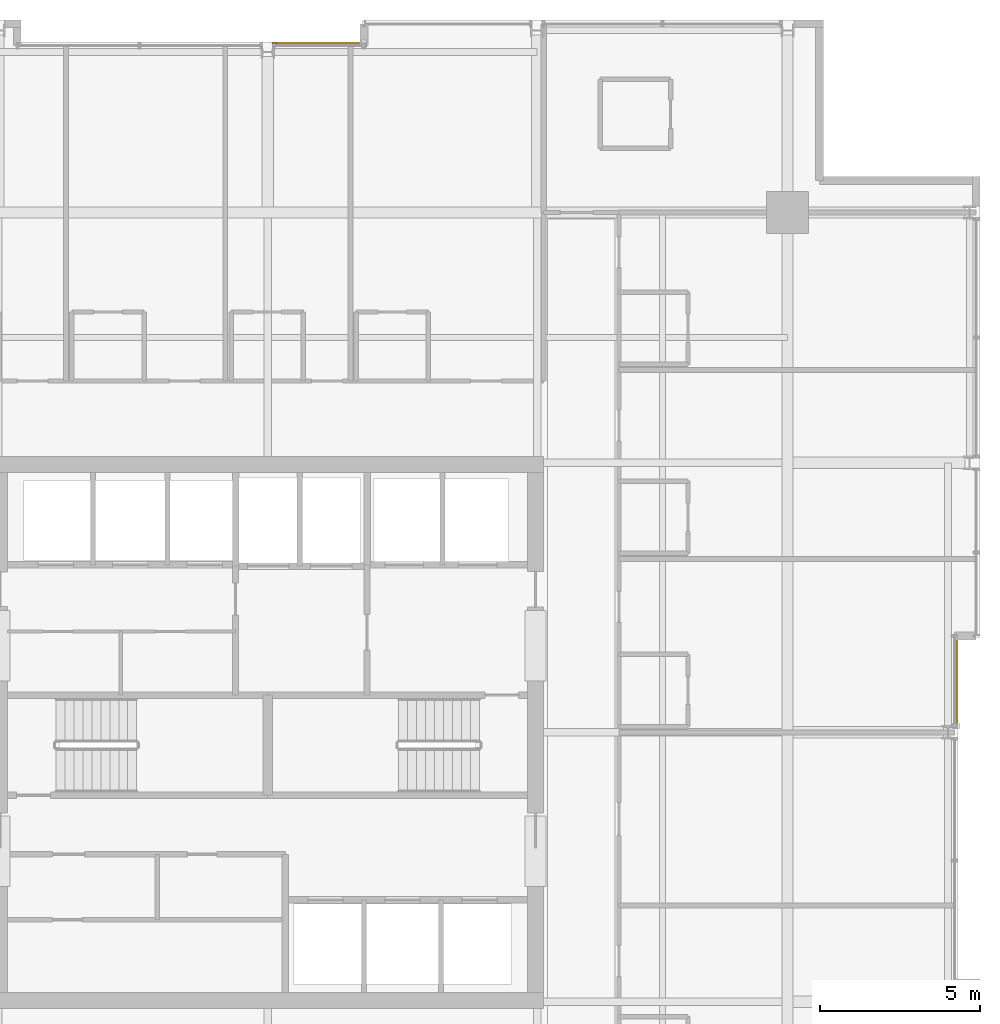
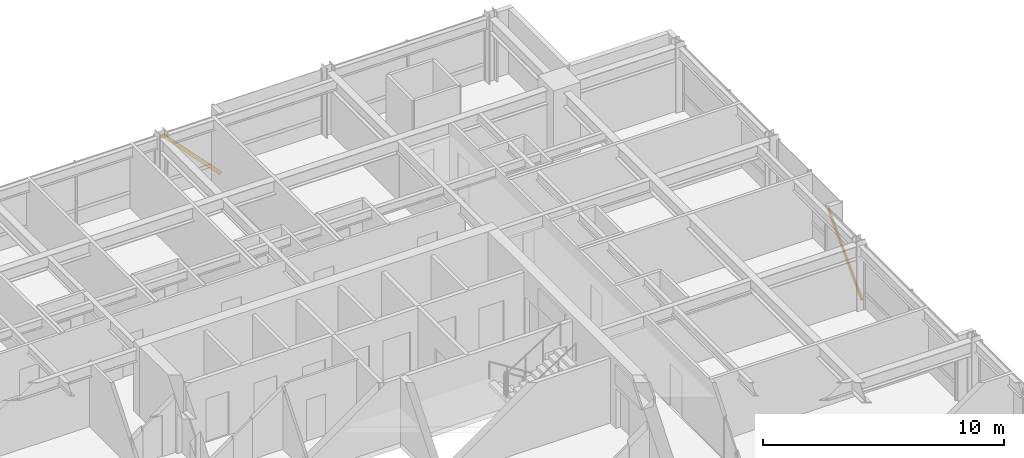
# One storey, part 33 of 33: 2 shading devices.
"""IFC4 building model written with IfcOpenShell, lengths in metres."""

from ifc_helpers import new_model, si_unit, direction, frame, origin, origin_2d, place, context, subcontext, project, spatial, hollow_rectangle, extrude, material, material_profile, profile_set, type_object, element, save


model = new_model("IFC4")

# Units and contexts
model_context = context("Model", 3, precision=1e-05, world=origin(), true_north=direction((0.0, 1.0)))
body_context = subcontext(model_context, "Body", "Model", "MODEL_VIEW")
ifc_project = project(units=[si_unit("LENGTHUNIT", "METRE"), si_unit("AREAUNIT", "SQUARE_METRE"), si_unit("VOLUMEUNIT", "CUBIC_METRE"), si_unit("PLANEANGLEUNIT", "RADIAN"), si_unit("MASSUNIT", "GRAM", prefix="KILO")], contexts=[model_context])

# Site, building, storey
site_placement = place(None, origin())
site = spatial("IfcSite", under=ifc_project, at=site_placement, CompositionType="ELEMENT")
building_placement = place(site_placement, origin())
building = spatial("IfcBuilding", under=site, at=building_placement, Name="Drelvath Grand Hotel", CompositionType="ELEMENT")
storey_placement = place(building_placement, frame((0.0, 0.0, 153.949951171875)))
storey = spatial("IfcBuildingStorey", under=building, at=storey_placement, Name="L39", CompositionType="ELEMENT", Elevation=153.949951171875)

# Shading devices
ifc_material = material(Name="Brushed Pale-Silver Anodised Aluminium", Category="aluminium")
ifc_material_profile = material_profile(ifc_material, hollow_rectangle(XDim=0.06494140625, YDim=0.159912109375, WallThickness=0.00390625, at=origin_2d()), Name="HSS160X65X4")
ifc_profile_set = profile_set([ifc_material_profile], Name="Brushed Pale-Silver Anodised Aluminium")
shading_device_type = type_object("IfcShadingDeviceType", Name="Diagonal Solar Fin Pale-Silver Anodised HSS160X65X4", PredefinedType="USERDEFINED", material=ifc_profile_set)
for number, where, z_axis, x_axis, name in (
    (1, (21.47998046875, 27.2001953125, 0.179931640625), (0.0, 0.690839577848, 0.723008075805), (-1.0, 0.0, 0.0), "L39 Diagonal Anodised Fin CW04-L39-EM2"),
    (2, (3.0, 48.47998046875, 0.179931640625), (-0.690839577848, 0.0, 0.723008075805), (0.0, -1.0, 0.0), "L39 Diagonal Anodised Fin CW04-L39-NM2"),
):
    element("IfcShadingDevice", number, at=place(storey_placement, frame(where, z_axis=z_axis, x_axis=x_axis)), inside=storey, type_object=shading_device_type, Name=name, ObjectType="FIN", PredefinedType="USERDEFINED", context=body_context, shape_type="SweptSolid", body=[
        extrude(hollow_rectangle(XDim=0.06494140625, YDim=0.159912109375, WallThickness=0.00390625, at=origin_2d()), origin(), (0.0, 0.0, 1.0), 4.052734375),
    ])

save(model, "model.ifc")
